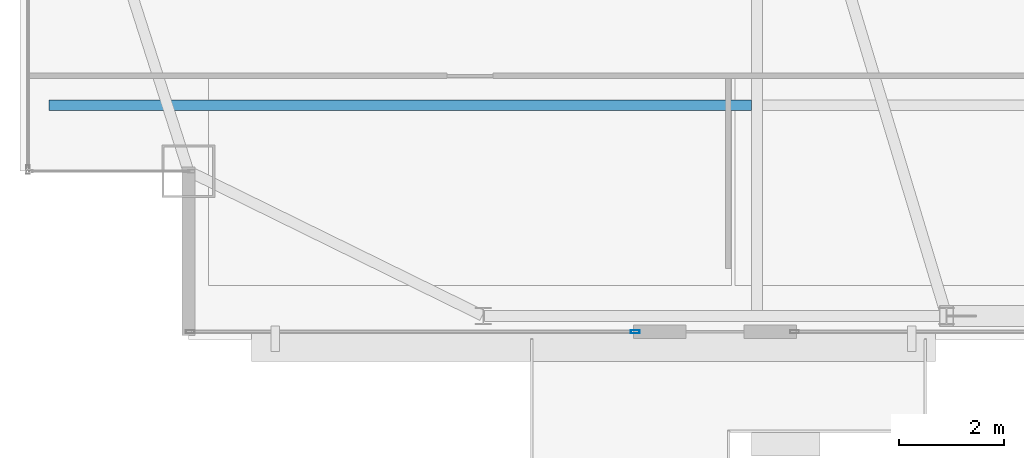
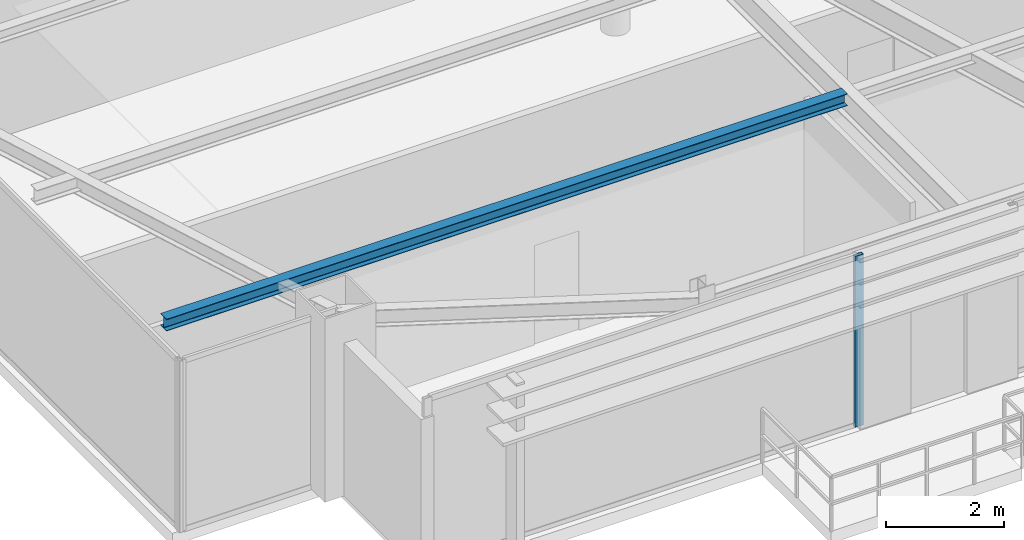
# One storey, part 4 of 25: 1 beam, 1 member, 1 element without a shape of its own.
"""IFC4 building model written with IfcOpenShell, lengths in metres."""

from ifc_helpers import new_model, si_unit, direction, frame, origin, origin_2d, place, context, subcontext, project, spatial, hollow_rectangle, i_section, extrude, source, transform, mapped, material, layer, layer_set, material_profile, profile_set, type_object, type_shapes, element, aggregate, save


model = new_model("IFC4")

# Units and contexts
model_context = context("Model", 3, precision=1e-05, world=origin(), true_north=direction((0.0, 1.0)))
body_context = subcontext(model_context, "Body", "Model", "MODEL_VIEW")
ifc_project = project(units=[si_unit("LENGTHUNIT", "METRE"), si_unit("AREAUNIT", "SQUARE_METRE"), si_unit("VOLUMEUNIT", "CUBIC_METRE"), si_unit("PLANEANGLEUNIT", "RADIAN"), si_unit("MASSUNIT", "GRAM", prefix="KILO")], contexts=[model_context])

# Site, building, storey
site_placement = place(None, origin())
site = spatial("IfcSite", under=ifc_project, at=site_placement, CompositionType="ELEMENT")
building_placement = place(site_placement, origin())
building = spatial("IfcBuilding", under=site, at=building_placement, Name="Varnel Quay Broadcast Tower", CompositionType="ELEMENT")
storey_placement = place(building_placement, frame((0.0, 0.0, 288.800048828125)))
storey = spatial("IfcBuildingStorey", under=building, at=storey_placement, Name="L72", CompositionType="ELEMENT", Elevation=288.800048828125)

# Beam
ifc_material_1 = material(Name="Structural Steel CSA G40.21 350W", Category="steel")
ifc_material_profile_1 = material_profile(ifc_material_1, i_section(OverallWidth=0.201904296875, OverallDepth=0.2470703125, WebThickness=0.00732421875, FlangeThickness=0.010986328125, FilletRadius=0.010986328125, at=origin_2d()), Name="W250X49")
ifc_profile_set_1 = profile_set([ifc_material_profile_1], Name="Structural Steel CSA G40.21 350W")
beam_type = type_object("IfcBeamType", Name="Beam_W250X49", PredefinedType="JOIST", material=ifc_profile_set_1)
shared_shape_1 = source(origin(), body_context, "Body", "SweptSolid", [
    extrude(i_section(OverallWidth=0.201904296875, OverallDepth=0.2470703125, WebThickness=0.00732421875, FlangeThickness=0.010986328125, FilletRadius=0.010986328125, at=origin_2d()), origin(), (0.0, 0.0, 1.0), 13.351318359375),
])
type_shapes(beam_type, [shared_shape_1])
beam_placement = place(storey_placement, frame((12.547607421875, 17.64990234375, 3.426513671875), z_axis=(1.0, 0.0, 0.0), x_axis=(0.0, 1.0, 0.0)))
element("IfcBeam", 1, at=beam_placement, inside=storey, type_object=beam_type, Name="L72 West Floor Joist 1", PredefinedType="JOIST", context=body_context, shape_type="MappedRepresentation", body=[
    mapped(shared_shape_1, transform((0.0, 0.0, 0.0), x_axis=(1.0, 0.0, 0.0), y_axis=(0.0, 1.0, 0.0), z_axis=(0.0, 0.0, 1.0), scale=1.0)),
])

# Curtain wall, member
ifc_material_2 = material(Name="Anodised Bronze Aluminium 6063-T6", Category="aluminium")
ifc_layer = layer(ifc_material_2, 0.18994140625, Name="Anodised Bronze Aluminium 6063-T6")
ifc_layer_set = layer_set([ifc_layer], Name="Anodised Bronze Aluminium 6063-T6")
curtain_wall_type = type_object("IfcCurtainWallType", Name="CW_UpperTower", PredefinedType="NOTDEFINED", material=ifc_layer_set)
curtain_wall_placement = place(storey_placement, origin())
curtain_wall = element("IfcCurtainWall", 2, at=curtain_wall_placement, inside=storey, type_object=curtain_wall_type, Name="L72 South Unitised Curtain Wall 1", PredefinedType="NOTDEFINED")
ifc_material_profile_2 = material_profile(ifc_material_2, hollow_rectangle(XDim=0.06494140625, YDim=0.1650390625, WallThickness=0.00341796875, at=origin_2d()), Name="ALU65X165X3.5")
ifc_profile_set_2 = profile_set([ifc_material_profile_2], Name="Anodised Bronze Aluminium 6063-T6")
member_type = type_object("IfcMemberType", Name="Mull_CWS-03", PredefinedType="MULLION", material=ifc_profile_set_2)
shared_shape_2 = source(origin(), body_context, "Body", "SweptSolid", [
    extrude(hollow_rectangle(XDim=0.06494140625, YDim=0.1650390625, WallThickness=0.00341796875, at=origin_2d()), origin(), (0.0, 0.0, 1.0), 3.550048828125),
])
type_shapes(member_type, [shared_shape_2])
member_placement = place(storey_placement, frame((23.6875, 13.35009765625, 0.0), z_axis=(0.0, 0.0, 1.0), x_axis=(0.0, 1.0, 0.0)))
member = element("IfcMember", 3, at=member_placement, type_object=member_type, Name="CWS-03 mullion 2", PredefinedType="MULLION", context=body_context, shape_type="MappedRepresentation", body=[
    mapped(shared_shape_2, transform((0.0, 0.0, 0.0), x_axis=(1.0, 0.0, 0.0), y_axis=(0.0, 1.0, 0.0), z_axis=(0.0, 0.0, 1.0), scale=1.0)),
])
aggregate(curtain_wall, [member])

save(model, "model.ifc")
